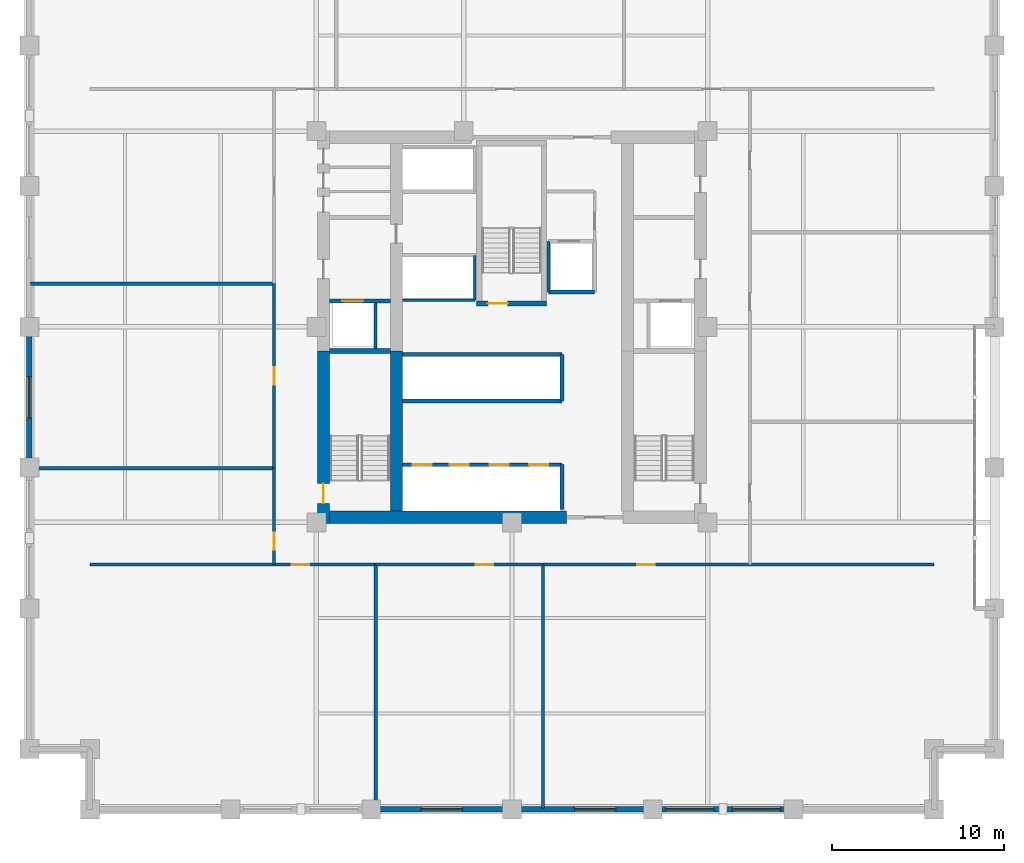
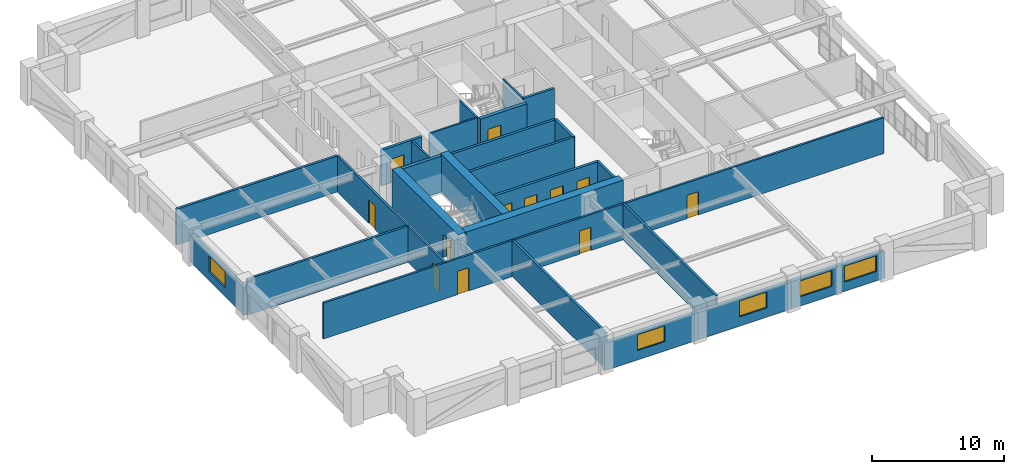
# One storey, part 4 of 10: 29 walls, 12 doors, 5 windows, 17 openings.
"""IFC4 building model written with IfcOpenShell, lengths in metres."""

from ifc_helpers import new_model, si_unit, direction, frame, frame_2d, origin, place, context, subcontext, project, spatial, rectangle, extrude, material, layer, layer_set, type_object, element, fill, save


model = new_model("IFC4")

# Units and contexts
model_context = context("Model", 3, precision=1e-05, world=origin(), true_north=direction((0.0, 1.0)))
body_context = subcontext(model_context, "Body", "Model", "MODEL_VIEW")
ifc_project = project(units=[si_unit("LENGTHUNIT", "METRE"), si_unit("AREAUNIT", "SQUARE_METRE"), si_unit("VOLUMEUNIT", "CUBIC_METRE"), si_unit("PLANEANGLEUNIT", "RADIAN"), si_unit("MASSUNIT", "GRAM", prefix="KILO")], contexts=[model_context])

# Site, building, storey
site_placement = place(None, origin())
site = spatial("IfcSite", under=ifc_project, at=site_placement, CompositionType="ELEMENT")
building_placement = place(site_placement, origin())
building = spatial("IfcBuilding", under=site, at=building_placement, Name="Nhamokura Convention Tower", CompositionType="ELEMENT")
storey_placement = place(building_placement, frame((0.0, 0.0, 89.25)))
storey = spatial("IfcBuildingStorey", under=building, at=storey_placement, Name="L21", CompositionType="ELEMENT", Elevation=89.25)

# Wall, opening, window
ifc_material_1 = material(Name="Bronze-pigmented precast concrete C45/55", Category="concrete")
ifc_layer_1 = layer(ifc_material_1, 0.320068359375)
ifc_layer_set_1 = layer_set([ifc_layer_1], Name="BronzePrecastSpandrel_320")
wall_type_1 = type_object("IfcWallType", Name="BronzePrecastSpandrel_320", PredefinedType="USERDEFINED", material=ifc_layer_set_1)
wall_1_placement = place(storey_placement, frame((32.0, 4.0, 0.0), z_axis=(0.0, 0.0, 1.0), x_axis=(-1.0, 0.0, 0.0)))
wall_1 = element("IfcWall", 1, at=wall_1_placement, inside=storey, type_object=wall_type_1, Name="L21 Masonry-Frame Wall SOUTH 2", ObjectType="SPANDREL_WALL", PredefinedType="USERDEFINED", context=body_context, shape_type="SweptSolid", body=[
    extrude(rectangle(XDim=8.166748046875, YDim=0.320068359375, at=frame_2d((4.08349609375, 0.0))), origin(), (0.0, 0.0, 1.0), 2.52001953125),
])
opening_1_placement = place(wall_1_placement, frame((2.88330078125, 0.0, 0.85009765625)))
opening_1 = element("IfcOpeningElement", 2, at=opening_1_placement, cuts=wall_1, Name="Opening W-03", PredefinedType="OPENING", context=body_context, shape_type="SweptSolid", body=[
    extrude(rectangle(XDim=2.39990234375, YDim=1.469970703125, at=frame_2d((1.199951171875, 0.73486328125))), frame((0.0, 0.169921875, 0.0), z_axis=(0.0, -1.0, 0.0), x_axis=(1.0, 0.0, 0.0)), (0.0, 0.0, 1.0), 0.340087890625),
])
ifc_material_2 = material(Name="Solar-control bronze low-E double glass", Category="glass")
window_type_1 = type_object("IfcWindowType", Name="HotelBayWindow_2400", PartitioningType="DOUBLE_PANEL_VERTICAL", PredefinedType="WINDOW", material=ifc_material_2)
window_1_placement = place(opening_1_placement, origin())
window_1 = element("IfcWindow", 3, at=window_1_placement, inside=storey, type_object=window_type_1, Name="L21 Facade Window SOUTH 2", OverallHeight=1.469970703125, OverallWidth=2.39990234375, PartitioningType="SINGLE_PANEL", PredefinedType="WINDOW", context=body_context, shape_type="SweptSolid", body=[
    extrude(rectangle(XDim=2.39990234375, YDim=1.469970703125, at=frame_2d((1.199951171875, 0.73486328125))), frame((0.0, 0.030029296875, 0.0), z_axis=(0.0, -1.0, 0.0), x_axis=(1.0, 0.0, 0.0)), (0.0, 0.0, 1.0), 0.06005859375),
])
fill(opening_1, window_1)

wall_2_placement = place(storey_placement, frame((40.166748046875, 4.0, 0.0), z_axis=(0.0, 0.0, 1.0), x_axis=(-1.0, 0.0, 0.0)))
wall_2 = element("IfcWall", 4, at=wall_2_placement, inside=storey, type_object=wall_type_1, Name="L21 Masonry-Frame Wall SOUTH 3", ObjectType="SPANDREL_WALL", PredefinedType="USERDEFINED", context=body_context, shape_type="SweptSolid", body=[
    extrude(rectangle(XDim=8.166748046875, YDim=0.320068359375, at=frame_2d((4.08349609375, 0.0))), origin(), (0.0, 0.0, 1.0), 2.52001953125),
])
opening_2_placement = place(wall_2_placement, frame((2.13330078125, 0.0, 0.85009765625)))
opening_2 = element("IfcOpeningElement", 5, at=opening_2_placement, cuts=wall_2, Name="Opening W-03", PredefinedType="OPENING", context=body_context, shape_type="SweptSolid", body=[
    extrude(rectangle(XDim=2.39990234375, YDim=1.469970703125, at=frame_2d((1.199951171875, 0.73486328125))), frame((0.0, 0.169921875, 0.0), z_axis=(0.0, -1.0, 0.0), x_axis=(1.0, 0.0, 0.0)), (0.0, 0.0, 1.0), 0.340087890625),
])
window_2_placement = place(opening_2_placement, origin())
window_2 = element("IfcWindow", 6, at=window_2_placement, inside=storey, type_object=window_type_1, Name="L21 Facade Window SOUTH 3-1", OverallHeight=1.469970703125, OverallWidth=2.39990234375, PartitioningType="SINGLE_PANEL", PredefinedType="WINDOW", context=body_context, shape_type="SweptSolid", body=[
    extrude(rectangle(XDim=2.39990234375, YDim=1.469970703125, at=frame_2d((1.199951171875, 0.73486328125))), frame((0.0, 0.030029296875, 0.0), z_axis=(0.0, -1.0, 0.0), x_axis=(1.0, 0.0, 0.0)), (0.0, 0.0, 1.0), 0.06005859375),
])
fill(opening_2, window_2)

# Wall, openings, windows
wall_3_placement = place(storey_placement, frame((48.333251953125, 4.0, 0.0), z_axis=(0.0, 0.0, 1.0), x_axis=(-1.0, 0.0, 0.0)))
wall_3 = element("IfcWall", 7, at=wall_3_placement, inside=storey, type_object=wall_type_1, Name="L21 Masonry-Frame Wall SOUTH 4", ObjectType="SPANDREL_WALL", PredefinedType="USERDEFINED", context=body_context, shape_type="SweptSolid", body=[
    extrude(rectangle(XDim=8.16650390625, YDim=0.320068359375, at=frame_2d((4.083251953125, 0.0))), origin(), (0.0, 0.0, 1.0), 2.52001953125),
])
opening_3_placement = place(wall_3_placement, frame((0.74169921875, 0.0, 0.85009765625)))
opening_3 = element("IfcOpeningElement", 8, at=opening_3_placement, cuts=wall_3, Name="Opening W-04", PredefinedType="OPENING", context=body_context, shape_type="SweptSolid", body=[
    extrude(rectangle(XDim=2.800048828125, YDim=1.469970703125, at=frame_2d((1.39990234375, 0.73486328125))), frame((0.0, 0.169921875, 0.0), z_axis=(0.0, -1.0, 0.0), x_axis=(1.0, 0.0, 0.0)), (0.0, 0.0, 1.0), 0.340087890625),
])
opening_4_placement = place(wall_3_placement, frame((4.625, 0.0, 0.85009765625)))
opening_4 = element("IfcOpeningElement", 9, at=opening_4_placement, cuts=wall_3, Name="Opening W-04", PredefinedType="OPENING", context=body_context, shape_type="SweptSolid", body=[
    extrude(rectangle(XDim=2.800048828125, YDim=1.469970703125, at=frame_2d((1.39990234375, 0.73486328125))), frame((0.0, 0.169921875, 0.0), z_axis=(0.0, -1.0, 0.0), x_axis=(1.0, 0.0, 0.0)), (0.0, 0.0, 1.0), 0.340087890625),
])
ifc_material_3 = material(Name="Solar-control bronze low-E double glass", Category="glass")
window_type_2 = type_object("IfcWindowType", Name="HotelSuiteWindow_2800", PartitioningType="DOUBLE_PANEL_VERTICAL", PredefinedType="WINDOW", material=ifc_material_3)
window_3_placement = place(opening_3_placement, origin())
window_3 = element("IfcWindow", 10, at=window_3_placement, inside=storey, type_object=window_type_2, Name="L21 Facade Window SOUTH 4-1", OverallHeight=1.469970703125, OverallWidth=2.800048828125, PartitioningType="SINGLE_PANEL", PredefinedType="WINDOW", context=body_context, shape_type="SweptSolid", body=[
    extrude(rectangle(XDim=2.800048828125, YDim=1.469970703125, at=frame_2d((1.39990234375, 0.73486328125))), frame((0.0, 0.030029296875, 0.0), z_axis=(0.0, -1.0, 0.0), x_axis=(1.0, 0.0, 0.0)), (0.0, 0.0, 1.0), 0.06005859375),
])
fill(opening_3, window_3)
window_4_placement = place(opening_4_placement, origin())
window_4 = element("IfcWindow", 11, at=window_4_placement, inside=storey, type_object=window_type_2, Name="L21 Facade Window SOUTH 4-2", OverallHeight=1.469970703125, OverallWidth=2.800048828125, PartitioningType="SINGLE_PANEL", PredefinedType="WINDOW", context=body_context, shape_type="SweptSolid", body=[
    extrude(rectangle(XDim=2.800048828125, YDim=1.469970703125, at=frame_2d((1.39990234375, 0.73486328125))), frame((0.0, 0.030029296875, 0.0), z_axis=(0.0, -1.0, 0.0), x_axis=(1.0, 0.0, 0.0)), (0.0, 0.0, 1.0), 0.06005859375),
])
fill(opening_4, window_4)

# Wall, opening, window
wall_4_placement = place(storey_placement, frame((4.0, 23.833251953125, 0.0), z_axis=(0.0, 0.0, 1.0), x_axis=(0.0, 1.0, 0.0)))
wall_4 = element("IfcWall", 12, at=wall_4_placement, inside=storey, type_object=wall_type_1, Name="L21 Masonry-Frame Wall WEST 2", ObjectType="SPANDREL_WALL", PredefinedType="USERDEFINED", context=body_context, shape_type="SweptSolid", body=[
    extrude(rectangle(XDim=8.166748046875, YDim=0.320068359375, at=frame_2d((4.08349609375, 0.0))), origin(), (0.0, 0.0, 1.0), 2.52001953125),
])
opening_5_placement = place(wall_4_placement, frame((2.88330078125, 0.0, 0.85009765625)))
opening_5 = element("IfcOpeningElement", 13, at=opening_5_placement, cuts=wall_4, Name="Opening W-03", PredefinedType="OPENING", context=body_context, shape_type="SweptSolid", body=[
    extrude(rectangle(XDim=2.39990234375, YDim=1.469970703125, at=frame_2d((1.199951171875, 0.73486328125))), frame((0.0, 0.169921875, 0.0), z_axis=(0.0, -1.0, 0.0), x_axis=(1.0, 0.0, 0.0)), (0.0, 0.0, 1.0), 0.340087890625),
])
window_5_placement = place(opening_5_placement, origin())
window_5 = element("IfcWindow", 14, at=window_5_placement, inside=storey, type_object=window_type_1, Name="L21 Facade Window WEST 2", OverallHeight=1.469970703125, OverallWidth=2.39990234375, PartitioningType="SINGLE_PANEL", PredefinedType="WINDOW", context=body_context, shape_type="SweptSolid", body=[
    extrude(rectangle(XDim=2.39990234375, YDim=1.469970703125, at=frame_2d((1.199951171875, 0.73486328125))), frame((0.0, 0.030029296875, 0.0), z_axis=(0.0, -1.0, 0.0), x_axis=(1.0, 0.0, 0.0)), (0.0, 0.0, 1.0), 0.06005859375),
])
fill(opening_5, window_5)

# Wall, opening, door
ifc_material_4 = material(Name="Concrete C70/85", Category="concrete")
ifc_layer_2 = layer(ifc_material_4, 0.699951171875)
ifc_layer_set_2 = layer_set([ifc_layer_2], Name="CoreShearWall_700")
wall_type_2 = type_object("IfcWallType", Name="CoreShearWall_700", PredefinedType="SHEAR", material=ifc_layer_set_2)
wall_5_placement = place(storey_placement, frame((21.06005859375, 20.60009765625, 0.0), z_axis=(0.0, 0.0, 1.0), x_axis=(0.0, 1.0, 0.0)))
wall_5 = element("IfcWall", 15, at=wall_5_placement, inside=storey, type_object=wall_type_2, Name="L21 Core Shear Wall CW-WS", PredefinedType="SHEAR", context=body_context, shape_type="SweptSolid", body=[
    extrude(rectangle(XDim=10.0, YDim=0.699951171875, at=frame_2d((5.0, 0.0))), origin(), (0.0, 0.0, 1.0), 3.5),
])
opening_6_placement = place(wall_5_placement, frame((1.14990234375, 0.0, 0.0)))
opening_6 = element("IfcOpeningElement", 16, at=opening_6_placement, cuts=wall_5, Name="Opening D-04", PredefinedType="OPENING", context=body_context, shape_type="SweptSolid", body=[
    extrude(rectangle(XDim=1.14990234375, YDim=2.14990234375, at=frame_2d((0.574951171875, 1.074951171875))), frame((0.0, 0.35986328125, 0.0), z_axis=(0.0, -1.0, 0.0), x_axis=(1.0, 0.0, 0.0)), (0.0, 0.0, 1.0), 0.719970703125),
])
ifc_material_5 = material(Name="Fire-rated steel door", Category="steel")
door_type_1 = type_object("IfcDoorType", Name="StairSmokeDoor_1150", OperationType="NOTDEFINED", PredefinedType="DOOR", material=ifc_material_5)
door_1_placement = place(opening_6_placement, origin())
door_1 = element("IfcDoor", 17, at=door_1_placement, inside=storey, type_object=door_type_1, Name="L21 Core Door INT-L21-D-ST01", OperationType="SINGLE_SWING_LEFT", OverallHeight=2.14990234375, OverallWidth=1.14990234375, PredefinedType="DOOR", context=body_context, shape_type="SweptSolid", body=[
    extrude(rectangle(XDim=1.14990234375, YDim=2.14990234375, at=frame_2d((0.574951171875, 1.074951171875))), frame((0.0, 0.02490234375, 0.0), z_axis=(0.0, -1.0, 0.0), x_axis=(1.0, 0.0, 0.0)), (0.0, 0.0, 1.0), 0.050048828125),
])
fill(opening_6, door_1)

# Walls
wall_6_placement = place(storey_placement, frame((21.409912109375, 20.949951171875, 0.0), z_axis=(0.0, 0.0, 1.0), x_axis=(1.0, 0.0, 0.0)))
element("IfcWall", 18, at=wall_6_placement, inside=storey, type_object=wall_type_2, Name="L21 Core Shear Wall CW-S1", PredefinedType="SHEAR", context=body_context, shape_type="SweptSolid", body=[
    extrude(rectangle(XDim=13.739990234375, YDim=0.699951171875, at=frame_2d((6.8701171875, 0.0))), origin(), (0.0, 0.0, 1.0), 3.5),
])
wall_7_placement = place(storey_placement, frame((25.2900390625, 21.300048828125, 0.0), z_axis=(0.0, 0.0, 1.0), x_axis=(0.0, 1.0, 0.0)))
element("IfcWall", 19, at=wall_7_placement, inside=storey, type_object=wall_type_2, Name="L21 Core Shear Wall CW-IWS", PredefinedType="SHEAR", context=body_context, shape_type="SweptSolid", body=[
    extrude(rectangle(XDim=9.300048828125, YDim=0.699951171875, at=frame_2d((4.64990234375, 0.0))), origin(), (0.0, 0.0, 1.0), 3.5),
])

# Wall, opening, door
ifc_material_6 = material(Name="Fire-rated gypsum and masonry partition", Category="masonry")
ifc_layer_3 = layer(ifc_material_6, 0.179931640625)
ifc_layer_set_3 = layer_set([ifc_layer_3], Name="CorridorRatedWall_180")
wall_type_3 = type_object("IfcWallType", Name="CorridorRatedWall_180", PredefinedType="STANDARD", material=ifc_layer_set_3)
wall_8_placement = place(storey_placement, frame((7.5, 18.199951171875, 0.0), z_axis=(0.0, 0.0, 1.0), x_axis=(1.0, 0.0, 0.0)))
wall_8 = element("IfcWall", 20, at=wall_8_placement, inside=storey, type_object=wall_type_3, Name="L21 Wall INT-L21-CW-S00", PredefinedType="STANDARD", context=body_context, shape_type="SweptSolid", body=[
    extrude(rectangle(XDim=16.60009765625, YDim=0.179931640625, at=frame_2d((8.300048828125, 0.0))), origin(), (0.0, 0.0, 1.0), 3.320068359375),
])
opening_7_placement = place(wall_8_placement, frame((11.72509765625, 0.0, 0.0)))
opening_7 = element("IfcOpeningElement", 21, at=opening_7_placement, cuts=wall_8, Name="Opening D-07", PredefinedType="OPENING", context=body_context, shape_type="SweptSolid", body=[
    extrude(rectangle(XDim=1.0, YDim=2.14990234375, at=frame_2d((0.5, 1.074951171875))), frame((0.0, 0.099853515625, 0.0), z_axis=(0.0, -1.0, 0.0), x_axis=(1.0, 0.0, 0.0)), (0.0, 0.0, 1.0), 0.199951171875),
])
ifc_material_7 = material(Name="Solid oak hardwood", Category="wood")
door_type_2 = type_object("IfcDoorType", Name="HotelSuiteEntryDoor_1000", OperationType="NOTDEFINED", PredefinedType="DOOR", material=ifc_material_7)
door_2_placement = place(opening_7_placement, origin())
door_2 = element("IfcDoor", 22, at=door_2_placement, inside=storey, type_object=door_type_2, Name="L21 Conference Salon S01 Door", OperationType="SINGLE_SWING_LEFT", OverallHeight=2.14990234375, OverallWidth=1.0, PredefinedType="DOOR", context=body_context, shape_type="SweptSolid", body=[
    extrude(rectangle(XDim=1.0, YDim=2.14990234375, at=frame_2d((0.5, 1.074951171875))), frame((0.0, 0.02490234375, 0.0), z_axis=(0.0, -1.0, 0.0), x_axis=(1.0, 0.0, 0.0)), (0.0, 0.0, 1.0), 0.050048828125),
])
fill(opening_7, door_2)

wall_9_placement = place(storey_placement, frame((24.10009765625, 18.199951171875, 0.0), z_axis=(0.0, 0.0, 1.0), x_axis=(1.0, 0.0, 0.0)))
wall_9 = element("IfcWall", 23, at=wall_9_placement, inside=storey, type_object=wall_type_3, Name="L21 Wall INT-L21-CW-S01", PredefinedType="STANDARD", context=body_context, shape_type="SweptSolid", body=[
    extrude(rectangle(XDim=9.699951171875, YDim=0.179931640625, at=frame_2d((4.85009765625, 0.0))), origin(), (0.0, 0.0, 1.0), 3.320068359375),
])
opening_8_placement = place(wall_9_placement, frame((5.800048828125, 0.0, 0.0)))
opening_8 = element("IfcOpeningElement", 24, at=opening_8_placement, cuts=wall_9, Name="Opening D-07", PredefinedType="OPENING", context=body_context, shape_type="SweptSolid", body=[
    extrude(rectangle(XDim=1.0, YDim=2.14990234375, at=frame_2d((0.5, 1.074951171875))), frame((0.0, 0.099853515625, 0.0), z_axis=(0.0, -1.0, 0.0), x_axis=(1.0, 0.0, 0.0)), (0.0, 0.0, 1.0), 0.199951171875),
])
door_3_placement = place(opening_8_placement, origin())
door_3 = element("IfcDoor", 25, at=door_3_placement, inside=storey, type_object=door_type_2, Name="L21 Security Office S02 Door", OperationType="SINGLE_SWING_RIGHT", OverallHeight=2.14990234375, OverallWidth=1.0, PredefinedType="DOOR", context=body_context, shape_type="SweptSolid", body=[
    extrude(rectangle(XDim=1.0, YDim=2.14990234375, at=frame_2d((0.5, 1.074951171875))), frame((0.0, 0.02490234375, 0.0), z_axis=(0.0, -1.0, 0.0), x_axis=(1.0, 0.0, 0.0)), (0.0, 0.0, 1.0), 0.050048828125),
])
fill(opening_8, door_3)

wall_10_placement = place(storey_placement, frame((33.800048828125, 18.199951171875, 0.0), z_axis=(0.0, 0.0, 1.0), x_axis=(1.0, 0.0, 0.0)))
wall_10 = element("IfcWall", 26, at=wall_10_placement, inside=storey, type_object=wall_type_3, Name="L21 Wall INT-L21-CW-S02", PredefinedType="STANDARD", context=body_context, shape_type="SweptSolid", body=[
    extrude(rectangle(XDim=22.699951171875, YDim=0.179931640625, at=frame_2d((11.35009765625, 0.0))), origin(), (0.0, 0.0, 1.0), 3.320068359375),
])
opening_9_placement = place(wall_10_placement, frame((5.47509765625, 0.0, 0.0)))
opening_9 = element("IfcOpeningElement", 27, at=opening_9_placement, cuts=wall_10, Name="Opening D-07", PredefinedType="OPENING", context=body_context, shape_type="SweptSolid", body=[
    extrude(rectangle(XDim=1.0, YDim=2.14990234375, at=frame_2d((0.5, 1.074951171875))), frame((0.0, 0.099853515625, 0.0), z_axis=(0.0, -1.0, 0.0), x_axis=(1.0, 0.0, 0.0)), (0.0, 0.0, 1.0), 0.199951171875),
])
door_4_placement = place(opening_9_placement, origin())
door_4 = element("IfcDoor", 28, at=door_4_placement, inside=storey, type_object=door_type_2, Name="L21 Conference Salon S03 Door", OperationType="SINGLE_SWING_LEFT", OverallHeight=2.14990234375, OverallWidth=1.0, PredefinedType="DOOR", context=body_context, shape_type="SweptSolid", body=[
    extrude(rectangle(XDim=1.0, YDim=2.14990234375, at=frame_2d((0.5, 1.074951171875))), frame((0.0, 0.02490234375, 0.0), z_axis=(0.0, -1.0, 0.0), x_axis=(1.0, 0.0, 0.0)), (0.0, 0.0, 1.0), 0.050048828125),
])
fill(opening_9, door_4)

wall_11_placement = place(storey_placement, frame((18.199951171875, 18.199951171875, 0.0), z_axis=(0.0, 0.0, 1.0), x_axis=(0.0, 1.0, 0.0)))
wall_11 = element("IfcWall", 29, at=wall_11_placement, inside=storey, type_object=wall_type_3, Name="L21 Wall INT-L21-CW-W00", PredefinedType="STANDARD", context=body_context, shape_type="SweptSolid", body=[
    extrude(rectangle(XDim=5.60009765625, YDim=0.179931640625, at=frame_2d((2.800048828125, 0.0))), origin(), (0.0, 0.0, 1.0), 3.320068359375),
])
opening_10_placement = place(wall_11_placement, frame((0.85009765625, 0.0, 0.0)))
opening_10 = element("IfcOpeningElement", 30, at=opening_10_placement, cuts=wall_11, Name="Opening D-07", PredefinedType="OPENING", context=body_context, shape_type="SweptSolid", body=[
    extrude(rectangle(XDim=1.0, YDim=2.14990234375, at=frame_2d((0.5, 1.074951171875))), frame((0.0, 0.099853515625, 0.0), z_axis=(0.0, -1.0, 0.0), x_axis=(1.0, 0.0, 0.0)), (0.0, 0.0, 1.0), 0.199951171875),
])
door_5_placement = place(opening_10_placement, origin())
door_5 = element("IfcDoor", 31, at=door_5_placement, inside=storey, type_object=door_type_2, Name="L21 Meeting Room W01 Door", OperationType="SINGLE_SWING_LEFT", OverallHeight=2.14990234375, OverallWidth=1.0, PredefinedType="DOOR", context=body_context, shape_type="SweptSolid", body=[
    extrude(rectangle(XDim=1.0, YDim=2.14990234375, at=frame_2d((0.5, 1.074951171875))), frame((0.0, 0.02490234375, 0.0), z_axis=(0.0, -1.0, 0.0), x_axis=(1.0, 0.0, 0.0)), (0.0, 0.0, 1.0), 0.050048828125),
])
fill(opening_10, door_5)

wall_12_placement = place(storey_placement, frame((18.199951171875, 23.800048828125, 0.0), z_axis=(0.0, 0.0, 1.0), x_axis=(0.0, 1.0, 0.0)))
wall_12 = element("IfcWall", 32, at=wall_12_placement, inside=storey, type_object=wall_type_3, Name="L21 Wall INT-L21-CW-W01", PredefinedType="STANDARD", context=body_context, shape_type="SweptSolid", body=[
    extrude(rectangle(XDim=10.699951171875, YDim=0.179931640625, at=frame_2d((5.35009765625, 0.0))), origin(), (0.0, 0.0, 1.0), 3.320068359375),
])
opening_11_placement = place(wall_12_placement, frame((4.85009765625, 0.0, 0.0)))
opening_11 = element("IfcOpeningElement", 33, at=opening_11_placement, cuts=wall_12, Name="Opening D-07", PredefinedType="OPENING", context=body_context, shape_type="SweptSolid", body=[
    extrude(rectangle(XDim=1.0, YDim=2.14990234375, at=frame_2d((0.5, 1.074951171875))), frame((0.0, 0.099853515625, 0.0), z_axis=(0.0, -1.0, 0.0), x_axis=(1.0, 0.0, 0.0)), (0.0, 0.0, 1.0), 0.199951171875),
])
door_6_placement = place(opening_11_placement, origin())
door_6 = element("IfcDoor", 34, at=door_6_placement, inside=storey, type_object=door_type_2, Name="L21 Conference Salon W02 Door", OperationType="SINGLE_SWING_RIGHT", OverallHeight=2.14990234375, OverallWidth=1.0, PredefinedType="DOOR", context=body_context, shape_type="SweptSolid", body=[
    extrude(rectangle(XDim=1.0, YDim=2.14990234375, at=frame_2d((0.5, 1.074951171875))), frame((0.0, 0.02490234375, 0.0), z_axis=(0.0, -1.0, 0.0), x_axis=(1.0, 0.0, 0.0)), (0.0, 0.0, 1.0), 0.050048828125),
])
fill(opening_11, door_6)

ifc_material_8 = material(Name="Autoclaved concrete blockwork", Category="masonry")
ifc_layer_4 = layer(ifc_material_8, 0.219970703125)
ifc_layer_set_4 = layer_set([ifc_layer_4], Name="FireLobbyWall_220")
wall_type_4 = type_object("IfcWallType", Name="FireLobbyWall_220", PredefinedType="STANDARD", material=ifc_layer_set_4)
wall_13_placement = place(storey_placement, frame((21.409912109375, 33.5, 0.0), z_axis=(0.0, 0.0, 1.0), x_axis=(1.0, 0.0, 0.0)))
wall_13 = element("IfcWall", 35, at=wall_13_placement, inside=storey, type_object=wall_type_4, Name="L21 Wall INT-L21-FFW-S", PredefinedType="STANDARD", context=body_context, shape_type="SweptSolid", body=[
    extrude(rectangle(XDim=3.530029296875, YDim=0.219970703125, at=frame_2d((1.76513671875, 0.0))), origin(), (0.0, 0.0, 1.0), 3.320068359375),
])
opening_12_placement = place(wall_13_placement, frame((0.75, 0.0, 0.0)))
opening_12 = element("IfcOpeningElement", 36, at=opening_12_placement, cuts=wall_13, Name="Opening LD-02", PredefinedType="OPENING", context=body_context, shape_type="SweptSolid", body=[
    extrude(rectangle(XDim=1.199951171875, YDim=2.199951171875, at=frame_2d((0.60009765625, 1.10009765625))), frame((0.0, 0.119873046875, 0.0), z_axis=(0.0, -1.0, 0.0), x_axis=(1.0, 0.0, 0.0)), (0.0, 0.0, 1.0), 0.239990234375),
])
ifc_material_9 = material(Name="Anodised bronze stainless steel", Category="steel")
door_type_3 = type_object("IfcDoorType", Name="LiftLandingDoor_FireService", OperationType="DOUBLE_DOOR_SLIDING", PredefinedType="DOOR", material=ifc_material_9)
door_7_placement = place(opening_12_placement, origin())
door_7 = element("IfcDoor", 37, at=door_7_placement, inside=storey, type_object=door_type_3, Name="L21 Firefighting Lift LF-01 Door", OperationType="DOUBLE_DOOR_SLIDING", OverallHeight=2.199951171875, OverallWidth=1.199951171875, PredefinedType="DOOR", context=body_context, shape_type="SweptSolid", body=[
    extrude(rectangle(XDim=1.199951171875, YDim=2.199951171875, at=frame_2d((0.60009765625, 1.10009765625))), frame((0.0, 0.02490234375, 0.0), z_axis=(0.0, -1.0, 0.0), x_axis=(1.0, 0.0, 0.0)), (0.0, 0.0, 1.0), 0.050048828125),
])
fill(opening_12, door_7)

# Wall, openings, doors
wall_14_placement = place(storey_placement, frame((25.64990234375, 24.0, 0.0), z_axis=(0.0, 0.0, 1.0), x_axis=(1.0, 0.0, 0.0)))
wall_14 = element("IfcWall", 38, at=wall_14_placement, inside=storey, type_object=wall_type_4, Name="L21 Wall INT-L21-B1N", PredefinedType="STANDARD", context=body_context, shape_type="SweptSolid", body=[
    extrude(rectangle(XDim=9.25, YDim=0.219970703125, at=frame_2d((4.625, 0.0))), origin(), (0.0, 0.0, 1.0), 3.320068359375),
])
opening_13_placement = place(wall_14_placement, frame((0.580078125, 0.0, 0.0)))
opening_13 = element("IfcOpeningElement", 39, at=opening_13_placement, cuts=wall_14, Name="Opening LD-01", PredefinedType="OPENING", context=body_context, shape_type="SweptSolid", body=[
    extrude(rectangle(XDim=1.10009765625, YDim=2.14990234375, at=frame_2d((0.550048828125, 1.074951171875))), frame((0.0, 0.119873046875, 0.0), z_axis=(0.0, -1.0, 0.0), x_axis=(1.0, 0.0, 0.0)), (0.0, 0.0, 1.0), 0.239990234375),
])
opening_14_placement = place(wall_14_placement, frame((2.75, 0.0, 0.0)))
opening_14 = element("IfcOpeningElement", 40, at=opening_14_placement, cuts=wall_14, Name="Opening LD-01", PredefinedType="OPENING", context=body_context, shape_type="SweptSolid", body=[
    extrude(rectangle(XDim=1.10009765625, YDim=2.14990234375, at=frame_2d((0.550048828125, 1.074951171875))), frame((0.0, 0.119873046875, 0.0), z_axis=(0.0, -1.0, 0.0), x_axis=(1.0, 0.0, 0.0)), (0.0, 0.0, 1.0), 0.239990234375),
])
opening_15_placement = place(wall_14_placement, frame((5.050048828125, 0.0, 0.0)))
opening_15 = element("IfcOpeningElement", 41, at=opening_15_placement, cuts=wall_14, Name="Opening LD-01", PredefinedType="OPENING", context=body_context, shape_type="SweptSolid", body=[
    extrude(rectangle(XDim=1.10009765625, YDim=2.14990234375, at=frame_2d((0.550048828125, 1.074951171875))), frame((0.0, 0.119873046875, 0.0), z_axis=(0.0, -1.0, 0.0), x_axis=(1.0, 0.0, 0.0)), (0.0, 0.0, 1.0), 0.239990234375),
])
opening_16_placement = place(wall_14_placement, frame((7.35009765625, 0.0, 0.0)))
opening_16 = element("IfcOpeningElement", 42, at=opening_16_placement, cuts=wall_14, Name="Opening LD-01", PredefinedType="OPENING", context=body_context, shape_type="SweptSolid", body=[
    extrude(rectangle(XDim=1.10009765625, YDim=2.14990234375, at=frame_2d((0.550048828125, 1.074951171875))), frame((0.0, 0.119873046875, 0.0), z_axis=(0.0, -1.0, 0.0), x_axis=(1.0, 0.0, 0.0)), (0.0, 0.0, 1.0), 0.239990234375),
])
ifc_material_10 = material(Name="Anodised bronze stainless steel", Category="steel")
door_type_4 = type_object("IfcDoorType", Name="LiftLandingDoor_Passenger", OperationType="DOUBLE_DOOR_SLIDING", PredefinedType="DOOR", material=ifc_material_10)
door_8_placement = place(opening_13_placement, origin())
door_8 = element("IfcDoor", 43, at=door_8_placement, inside=storey, type_object=door_type_4, Name="L21 Lift LP-01 Landing Door", OperationType="DOUBLE_DOOR_SLIDING", OverallHeight=2.14990234375, OverallWidth=1.10009765625, PredefinedType="DOOR", context=body_context, shape_type="SweptSolid", body=[
    extrude(rectangle(XDim=1.10009765625, YDim=2.14990234375, at=frame_2d((0.550048828125, 1.074951171875))), frame((0.0, 0.02490234375, 0.0), z_axis=(0.0, -1.0, 0.0), x_axis=(1.0, 0.0, 0.0)), (0.0, 0.0, 1.0), 0.050048828125),
])
fill(opening_13, door_8)
door_9_placement = place(opening_14_placement, origin())
door_9 = element("IfcDoor", 44, at=door_9_placement, inside=storey, type_object=door_type_4, Name="L21 Lift LP-02 Landing Door", OperationType="DOUBLE_DOOR_SLIDING", OverallHeight=2.14990234375, OverallWidth=1.10009765625, PredefinedType="DOOR", context=body_context, shape_type="SweptSolid", body=[
    extrude(rectangle(XDim=1.10009765625, YDim=2.14990234375, at=frame_2d((0.550048828125, 1.074951171875))), frame((0.0, 0.02490234375, 0.0), z_axis=(0.0, -1.0, 0.0), x_axis=(1.0, 0.0, 0.0)), (0.0, 0.0, 1.0), 0.050048828125),
])
fill(opening_14, door_9)
door_10_placement = place(opening_15_placement, origin())
door_10 = element("IfcDoor", 45, at=door_10_placement, inside=storey, type_object=door_type_4, Name="L21 Lift LP-03 Landing Door", OperationType="DOUBLE_DOOR_SLIDING", OverallHeight=2.14990234375, OverallWidth=1.10009765625, PredefinedType="DOOR", context=body_context, shape_type="SweptSolid", body=[
    extrude(rectangle(XDim=1.10009765625, YDim=2.14990234375, at=frame_2d((0.550048828125, 1.074951171875))), frame((0.0, 0.02490234375, 0.0), z_axis=(0.0, -1.0, 0.0), x_axis=(1.0, 0.0, 0.0)), (0.0, 0.0, 1.0), 0.050048828125),
])
fill(opening_15, door_10)
door_11_placement = place(opening_16_placement, origin())
door_11 = element("IfcDoor", 46, at=door_11_placement, inside=storey, type_object=door_type_4, Name="L21 Lift LP-04 Landing Door", OperationType="DOUBLE_DOOR_SLIDING", OverallHeight=2.14990234375, OverallWidth=1.10009765625, PredefinedType="DOOR", context=body_context, shape_type="SweptSolid", body=[
    extrude(rectangle(XDim=1.10009765625, YDim=2.14990234375, at=frame_2d((0.550048828125, 1.074951171875))), frame((0.0, 0.02490234375, 0.0), z_axis=(0.0, -1.0, 0.0), x_axis=(1.0, 0.0, 0.0)), (0.0, 0.0, 1.0), 0.050048828125),
])
fill(opening_16, door_11)

# Walls
wall_15_placement = place(storey_placement, frame((34.89990234375, 21.39990234375, 0.0), z_axis=(0.0, 0.0, 1.0), x_axis=(0.0, 1.0, 0.0)))
element("IfcWall", 47, at=wall_15_placement, inside=storey, type_object=wall_type_4, Name="L21 Wall INT-L21-B1E", PredefinedType="STANDARD", context=body_context, shape_type="SweptSolid", body=[
    extrude(rectangle(XDim=2.60009765625, YDim=0.219970703125, at=frame_2d((1.300048828125, 0.0))), origin(), (0.0, 0.0, 1.0), 3.320068359375),
])
for number, where, z_axis, x_axis, name in (
    (48, (25.64990234375, 27.699951171875, 0.0), (0.0, 0.0, 1.0), (1.0, 0.0, 0.0), "L21 Wall INT-L21-B2S"),
    (49, (25.64990234375, 30.39990234375, 0.0), (0.0, 0.0, 1.0), (1.0, 0.0, 0.0), "L21 Wall INT-L21-B2N"),
):
    element("IfcWall", number, at=place(storey_placement, frame(where, z_axis=z_axis, x_axis=x_axis)), inside=storey, type_object=wall_type_4, Name=name, PredefinedType="STANDARD", context=body_context, shape_type="SweptSolid", body=[
        extrude(rectangle(XDim=9.25, YDim=0.219970703125, at=frame_2d((4.625, 0.0))), origin(), (0.0, 0.0, 1.0), 3.320068359375),
    ])
wall_16_placement = place(storey_placement, frame((34.89990234375, 27.699951171875, 0.0), z_axis=(0.0, 0.0, 1.0), x_axis=(0.0, 1.0, 0.0)))
element("IfcWall", 50, at=wall_16_placement, inside=storey, type_object=wall_type_4, Name="L21 Wall INT-L21-B2E", PredefinedType="STANDARD", context=body_context, shape_type="SweptSolid", body=[
    extrude(rectangle(XDim=2.699951171875, YDim=0.219970703125, at=frame_2d((1.35009765625, 0.0))), origin(), (0.0, 0.0, 1.0), 3.320068359375),
])
wall_17_placement = place(storey_placement, frame((34.1201171875, 34.02001953125, 0.0), z_axis=(0.0, 0.0, 1.0), x_axis=(1.0, 0.0, 0.0)))
element("IfcWall", 51, at=wall_17_placement, inside=storey, type_object=wall_type_4, Name="L21 Wall INT-L21-LSS", PredefinedType="STANDARD", context=body_context, shape_type="SweptSolid", body=[
    extrude(rectangle(XDim=2.679931640625, YDim=0.219970703125, at=frame_2d((1.33984375, 0.0))), origin(), (0.0, 0.0, 1.0), 3.320068359375),
])
ifc_material_11 = material(Name="Acoustic twin-stud gypsum partition", Category="masonry")
ifc_layer_5 = layer(ifc_material_11, 0.199951171875)
ifc_layer_set_5 = layer_set([ifc_layer_5], Name="HotelDemisingWall_200")
wall_type_5 = type_object("IfcWallType", Name="HotelDemisingWall_200", PredefinedType="STANDARD", material=ifc_layer_set_5)
for number, where, z_axis, x_axis, name in (
    (52, (24.10009765625, 4.06005859375, 0.0), (0.0, 0.0, 1.0), (0.0, 1.0, 0.0), "L21 Wall INT-L21-RW-S01"),
    (53, (33.800048828125, 4.06005859375, 0.0), (0.0, 0.0, 1.0), (0.0, 1.0, 0.0), "L21 Wall INT-L21-RW-S02"),
    (54, (4.06005859375, 23.800048828125, 0.0), (0.0, 0.0, 1.0), (1.0, 0.0, 0.0), "L21 Wall INT-L21-RW-W01"),
    (55, (4.06005859375, 34.5, 0.0), (0.0, 0.0, 1.0), (1.0, 0.0, 0.0), "L21 Wall INT-L21-RW-W02"),
):
    element("IfcWall", number, at=place(storey_placement, frame(where, z_axis=z_axis, x_axis=x_axis)), inside=storey, type_object=wall_type_5, Name=name, PredefinedType="STANDARD", context=body_context, shape_type="SweptSolid", body=[
        extrude(rectangle(XDim=14.139892578125, YDim=0.199951171875, at=frame_2d((7.06982421875, 0.0))), origin(), (0.0, 0.0, 1.0), 3.320068359375),
    ])
ifc_material_12 = material(Name="Acoustic gypsum stud partition", Category="masonry")
ifc_layer_6 = layer(ifc_material_12, 0.14990234375)
ifc_layer_set_6 = layer_set([ifc_layer_6], Name="InteriorPartition_150")
wall_type_6 = type_object("IfcWallType", Name="InteriorPartition_150", PredefinedType="STANDARD", material=ifc_layer_set_6)
wall_18_placement = place(storey_placement, frame((24.080078125, 30.75, 0.0), z_axis=(0.0, 0.0, 1.0), x_axis=(0.0, 1.0, 0.0)))
element("IfcWall", 56, at=wall_18_placement, inside=storey, type_object=wall_type_6, Name="L21 Wall INT-L21-FF1-E", PredefinedType="STANDARD", context=body_context, shape_type="SweptSolid", body=[
    extrude(rectangle(XDim=2.64990234375, YDim=0.14990234375, at=frame_2d((1.324951171875, 0.0))), origin(), (0.0, 0.0, 1.0), 3.320068359375),
])
wall_19_placement = place(storey_placement, frame((25.64990234375, 33.550048828125, 0.0), z_axis=(0.0, 0.0, 1.0), x_axis=(1.0, 0.0, 0.0)))
element("IfcWall", 57, at=wall_19_placement, inside=storey, type_object=wall_type_6, Name="L21 Wall INT-L21-B3A-S", PredefinedType="STANDARD", context=body_context, shape_type="SweptSolid", body=[
    extrude(rectangle(XDim=4.2001953125, YDim=0.14990234375, at=frame_2d((2.10009765625, 0.0))), origin(), (0.0, 0.0, 1.0), 3.320068359375),
])
wall_20_placement = place(storey_placement, frame((29.85009765625, 33.550048828125, 0.0), z_axis=(0.0, 0.0, 1.0), x_axis=(0.0, 1.0, 0.0)))
element("IfcWall", 58, at=wall_20_placement, inside=storey, type_object=wall_type_6, Name="L21 Wall INT-L21-B3A-E", PredefinedType="STANDARD", context=body_context, shape_type="SweptSolid", body=[
    extrude(rectangle(XDim=2.599853515625, YDim=0.14990234375, at=frame_2d((1.2998046875, 0.0))), origin(), (0.0, 0.0, 1.0), 3.320068359375),
])
wall_21_placement = place(storey_placement, frame((34.1201171875, 34.02001953125, 0.0), z_axis=(0.0, 0.0, 1.0), x_axis=(0.0, 1.0, 0.0)))
element("IfcWall", 59, at=wall_21_placement, inside=storey, type_object=wall_type_6, Name="L21 Wall INT-L21-LSW", PredefinedType="STANDARD", context=body_context, shape_type="SweptSolid", body=[
    extrude(rectangle(XDim=2.929931640625, YDim=0.14990234375, at=frame_2d((1.46484375, 0.0))), origin(), (0.0, 0.0, 1.0), 3.320068359375),
])
ifc_material_13 = material(Name="Concrete C50/60", Category="concrete")
ifc_layer_7 = layer(ifc_material_13, 0.300048828125)
ifc_layer_set_7 = layer_set([ifc_layer_7], Name="ShaftEnclosureWall_300")
wall_type_7 = type_object("IfcWallType", Name="ShaftEnclosureWall_300", PredefinedType="SHEAR", material=ifc_layer_set_7)
wall_22_placement = place(storey_placement, frame((21.409912109375, 30.60009765625, 0.0), z_axis=(0.0, 0.0, 1.0), x_axis=(1.0, 0.0, 0.0)))
element("IfcWall", 60, at=wall_22_placement, inside=storey, type_object=wall_type_7, Name="L21 Wall INT-L21-ST01-N", PredefinedType="SHEAR", context=body_context, shape_type="SweptSolid", body=[
    extrude(rectangle(XDim=3.530029296875, YDim=0.300048828125, at=frame_2d((1.76513671875, 0.0))), origin(), (0.0, 0.0, 1.0), 3.320068359375),
])

# Wall, opening, door
wall_23_placement = place(storey_placement, frame((29.949951171875, 33.35009765625, 0.0), z_axis=(0.0, 0.0, 1.0), x_axis=(1.0, 0.0, 0.0)))
wall_23 = element("IfcWall", 61, at=wall_23_placement, inside=storey, type_object=wall_type_7, Name="L21 Wall INT-L21-ST03S", PredefinedType="SHEAR", context=body_context, shape_type="SweptSolid", body=[
    extrude(rectangle(XDim=4.050048828125, YDim=0.300048828125, at=frame_2d((2.02490234375, 0.0))), origin(), (0.0, 0.0, 1.0), 3.320068359375),
])
opening_17_placement = place(wall_23_placement, frame((0.64990234375, 0.0, 0.0)))
opening_17 = element("IfcOpeningElement", 62, at=opening_17_placement, cuts=wall_23, Name="Opening D-04", PredefinedType="OPENING", context=body_context, shape_type="SweptSolid", body=[
    extrude(rectangle(XDim=1.14990234375, YDim=2.14990234375, at=frame_2d((0.574951171875, 1.074951171875))), frame((0.0, 0.159912109375, 0.0), z_axis=(0.0, -1.0, 0.0), x_axis=(1.0, 0.0, 0.0)), (0.0, 0.0, 1.0), 0.320068359375),
])
door_12_placement = place(opening_17_placement, origin())
door_12 = element("IfcDoor", 63, at=door_12_placement, inside=storey, type_object=door_type_1, Name="L21 Stair ST-03 Smoke Door", OperationType="SINGLE_SWING_LEFT", OverallHeight=2.14990234375, OverallWidth=1.14990234375, PredefinedType="DOOR", context=body_context, shape_type="SweptSolid", body=[
    extrude(rectangle(XDim=1.14990234375, YDim=2.14990234375, at=frame_2d((0.574951171875, 1.074951171875))), frame((0.0, 0.02490234375, 0.0), z_axis=(0.0, -1.0, 0.0), x_axis=(1.0, 0.0, 0.0)), (0.0, 0.0, 1.0), 0.050048828125),
])
fill(opening_17, door_12)

save(model, "model.ifc")
